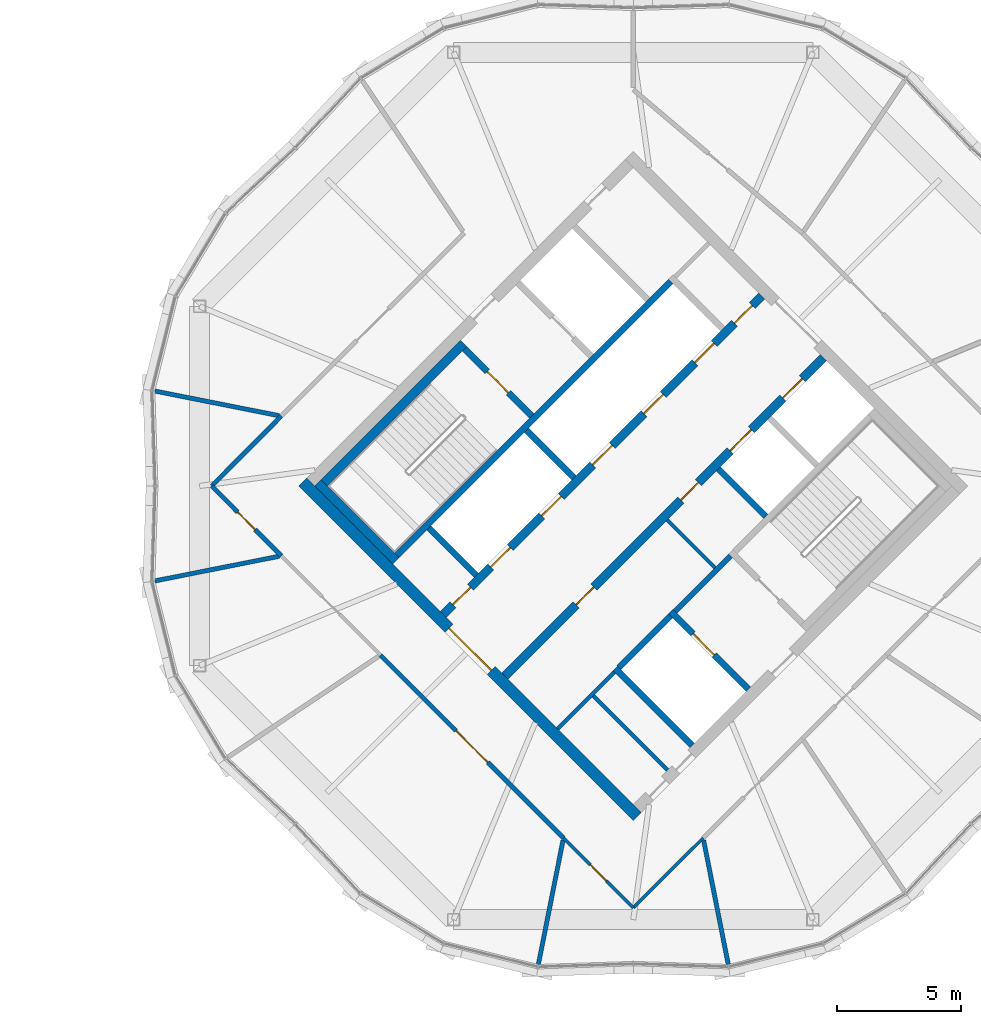
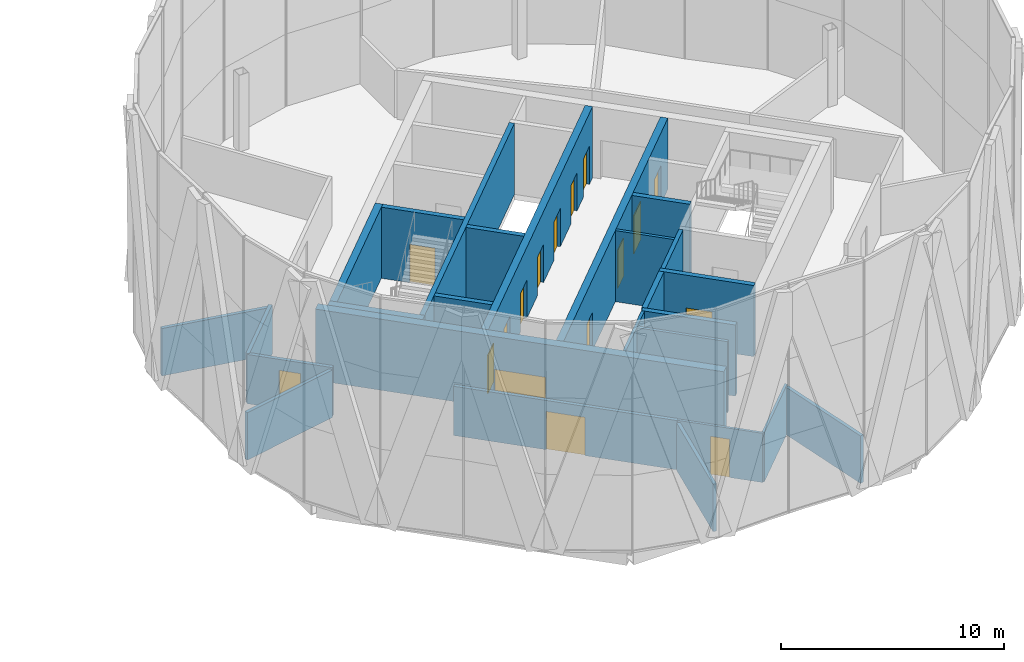
# One storey, part 19 of 23: 26 walls, 17 doors, 17 openings.
"""IFC4 building model written with IfcOpenShell, lengths in metres."""

from ifc_helpers import new_model, si_unit, direction, frame, frame_2d, origin, place, context, subcontext, project, spatial, rectangle, extrude, material, layer, layer_set, type_object, element, fill, save


model = new_model("IFC4")

# Units and contexts
model_context = context("Model", 3, precision=1e-05, world=origin(), true_north=direction((0.0, 1.0)))
body_context = subcontext(model_context, "Body", "Model", "MODEL_VIEW")
ifc_project = project(units=[si_unit("LENGTHUNIT", "METRE"), si_unit("AREAUNIT", "SQUARE_METRE"), si_unit("VOLUMEUNIT", "CUBIC_METRE"), si_unit("PLANEANGLEUNIT", "RADIAN"), si_unit("MASSUNIT", "GRAM", prefix="KILO")], contexts=[model_context])

# Site, building, storey
site_placement = place(None, origin())
site = spatial("IfcSite", under=ifc_project, at=site_placement, CompositionType="ELEMENT")
building_placement = place(site_placement, origin())
building = spatial("IfcBuilding", under=site, at=building_placement, Name="Ogive Gate Towers", CompositionType="ELEMENT")
storey_placement = place(building_placement, frame((0.0, 0.0, 256.199951171875)))
storey = spatial("IfcBuildingStorey", under=building, at=storey_placement, Name="L60", CompositionType="ELEMENT", Elevation=256.199951171875)

# Walls
ifc_material_1 = material(Name="Gypsum board acoustic partition")
ifc_layer_1 = layer(ifc_material_1, 0.175048828125)
ifc_layer_set_1 = layer_set([ifc_layer_1], Name="Acoustic partition 175")
wall_type_1 = type_object("IfcWallType", Name="Acoustic partition 175", PredefinedType="PARTITIONING", material=ifc_layer_set_1)
for number, where, z_axis, x_axis, name in (
    (1, (16.775390625, 3.814697265625, 0.0), (0.0, 0.0, 1.0), (0.980874659821, -0.194640442152, 0.0), "Partition T2-L60-005"),
    (2, (16.775390625, -3.814697265625, 0.0), (0.0, 0.0, 1.0), (0.980874659821, 0.194640442152, 0.0), "Partition T2-L60-006"),
    (3, (32.185302734375, -19.224609375, 0.0), (0.0, 0.0, 1.0), (0.194640442152, 0.980874659821, 0.0), "Partition T2-L60-008"),
    (4, (39.814697265625, -19.224609375, 0.0), (0.0, 0.0, 1.0), (-0.194640442152, 0.980874659821, 0.0), "Partition T2-L60-009"),
):
    element("IfcWall", number, at=place(storey_placement, frame(where, z_axis=z_axis, x_axis=x_axis)), inside=storey, type_object=wall_type_1, Name=name, PredefinedType="PARTITIONING", context=body_context, shape_type="SweptSolid", body=[
        extrude(rectangle(XDim=5.09130859375, YDim=0.175048828125, at=frame_2d((2.545654296875, 0.0))), origin(), (0.0, 0.0, 1.0), 2.60009765625),
    ])

# Wall, opening, door
wall_1_placement = place(storey_placement, frame((19.0576171875, 0.0, 0.0), z_axis=(0.0, 0.0, 1.0), x_axis=(0.705966114567, -0.708245610705, 0.0)))
wall_1 = element("IfcWall", 5, at=wall_1_placement, inside=storey, type_object=wall_type_1, Name="Partition T2-L60-020", PredefinedType="PARTITIONING", context=body_context, shape_type="SweptSolid", body=[
    extrude(rectangle(XDim=3.962890625, YDim=0.175048828125, at=frame_2d((1.9814453125, 0.0))), origin(), (0.0, 0.0, 1.0), 2.699951171875),
])
opening_1_placement = place(wall_1_placement, frame((1.48095703125, 0.0, 0.0)))
opening_1 = element("IfcOpeningElement", 6, at=opening_1_placement, cuts=wall_1, Name="Opening T2-L60-D07", PredefinedType="OPENING", context=body_context, shape_type="SweptSolid", body=[
    extrude(rectangle(XDim=1.0, YDim=2.10009765625, at=frame_2d((0.5, 1.050048828125))), frame((0.0, 0.09765625, 0.0), z_axis=(0.0, -1.0, 0.0), x_axis=(1.0, 0.0, 0.0)), (0.0, 0.0, 1.0), 0.195068359375),
])
ifc_material_2 = material(Name="Timber door", Category="wood")
door_type_1 = type_object("IfcDoorType", Name="Door 1000", OperationType="NOTDEFINED", PredefinedType="DOOR", material=ifc_material_2)
door_1_placement = place(opening_1_placement, origin())
door_1 = element("IfcDoor", 7, at=door_1_placement, inside=storey, type_object=door_type_1, Name="Door T2-L60-D07", OperationType="SINGLE_SWING_RIGHT", OverallHeight=2.10009765625, OverallWidth=1.0, PredefinedType="DOOR", context=body_context, shape_type="SweptSolid", body=[
    extrude(rectangle(XDim=1.0, YDim=2.10009765625, at=frame_2d((0.5, 1.050048828125))), frame((0.0, 0.02490234375, 0.0), z_axis=(0.0, -1.0, 0.0), x_axis=(1.0, 0.0, 0.0)), (0.0, 0.0, 1.0), 0.050048828125),
])
fill(opening_1, door_1)

# Wall
wall_2_placement = place(storey_placement, frame((21.855224609375, 2.806640625, 0.0), z_axis=(0.0, 0.0, 1.0), x_axis=(-0.705966114567, -0.708245610705, 0.0)))
element("IfcWall", 8, at=wall_2_placement, inside=storey, type_object=wall_type_1, Name="Partition T2-L60-021", PredefinedType="PARTITIONING", context=body_context, shape_type="SweptSolid", body=[
    extrude(rectangle(XDim=3.962890625, YDim=0.175048828125, at=frame_2d((1.9814453125, 0.0))), origin(), (0.0, 0.0, 1.0), 2.699951171875),
])

# Wall, opening, door
wall_3_placement = place(storey_placement, frame((25.842041015625, -6.794189453125, 0.0), z_axis=(0.0, 0.0, 1.0), x_axis=(0.70714200707, -0.707071553548, 0.0)))
wall_3 = element("IfcWall", 9, at=wall_3_placement, inside=storey, type_object=wall_type_1, Name="Partition T2-L60-023", PredefinedType="PARTITIONING", context=body_context, shape_type="SweptSolid", body=[
    extrude(rectangle(XDim=10.395751953125, YDim=0.175048828125, at=frame_2d((5.19775390625, 0.0))), origin(), (0.0, 0.0, 1.0), 2.699951171875),
])
opening_2_placement = place(wall_3_placement, frame((4.298095703125, 0.0, 0.0)))
opening_2 = element("IfcOpeningElement", 10, at=opening_2_placement, cuts=wall_3, Name="Opening T2-L60-D09", PredefinedType="OPENING", context=body_context, shape_type="SweptSolid", body=[
    extrude(rectangle(XDim=1.800048828125, YDim=2.10009765625, at=frame_2d((0.89990234375, 1.050048828125))), frame((0.0, 0.09765625, 0.0), z_axis=(0.0, -1.0, 0.0), x_axis=(1.0, 0.0, 0.0)), (0.0, 0.0, 1.0), 0.195068359375),
])
door_type_2 = type_object("IfcDoorType", Name="Door pair 1800", OperationType="NOTDEFINED", PredefinedType="DOOR", material=ifc_material_2)
door_2_placement = place(opening_2_placement, origin())
door_2 = element("IfcDoor", 11, at=door_2_placement, inside=storey, type_object=door_type_2, Name="Door T2-L60-D09", OperationType="DOUBLE_DOOR_DOUBLE_SWING", OverallHeight=2.10009765625, OverallWidth=1.800048828125, PredefinedType="DOOR", context=body_context, shape_type="SweptSolid", body=[
    extrude(rectangle(XDim=1.800048828125, YDim=2.10009765625, at=frame_2d((0.89990234375, 1.050048828125))), frame((0.0, 0.02490234375, 0.0), z_axis=(0.0, -1.0, 0.0), x_axis=(1.0, 0.0, 0.0)), (0.0, 0.0, 1.0), 0.050048828125),
])
fill(opening_2, door_2)

# Wall
ifc_material_3 = material(Name="Masonry blockwork", Category="masonry")
ifc_layer_2 = layer(ifc_material_3, 0.199951171875)
ifc_layer_set_2 = layer_set([ifc_layer_2], Name="Blockwork wall 200 mm")
wall_type_2 = type_object("IfcWallType", Name="Blockwork wall 200 mm", PredefinedType="PARTITIONING", material=ifc_layer_set_2)
wall_4_placement = place(storey_placement, frame((37.679443359375, -5.0380859375, 0.0), z_axis=(0.0, 0.0, 1.0), x_axis=(0.707106781187, 0.707106781187, 0.0)))
element("IfcWall", 12, at=wall_4_placement, inside=storey, type_object=wall_type_2, Name="T2 L60 Blockwork wall 200 mm", PredefinedType="PARTITIONING", context=body_context, shape_type="SweptSolid", body=[
    extrude(rectangle(XDim=3.14990234375, YDim=0.199951171875, at=frame_2d((1.574951171875, 0.0))), origin(), (0.0, 0.0, 1.0), 3.900146484375),
])

# Wall, opening, door
ifc_material_4 = material(Name="Concrete C60/75", Category="concrete")
ifc_layer_3 = layer(ifc_material_4, 0.449951171875)
ifc_layer_set_3 = layer_set([ifc_layer_3], Name="Core wall 450 mm")
wall_type_3 = type_object("IfcWallType", Name="Core wall 450 mm", PredefinedType="SHEAR", material=ifc_layer_set_3)
wall_5_placement = place(storey_placement, frame((36.1591796875, -13.27587890625, 0.0), z_axis=(0.0, 0.0, 1.0), x_axis=(-0.707106781187, 0.707106781187, 0.0)))
wall_5 = element("IfcWall", 13, at=wall_5_placement, inside=storey, type_object=wall_type_3, Name="T2 L60 Core wall 450 mm", PredefinedType="SHEAR", context=body_context, shape_type="SweptSolid", body=[
    extrude(rectangle(XDim=19.0, YDim=0.449951171875, at=frame_2d((9.5, 0.0))), origin(), (0.0, 0.0, 1.0), 3.900146484375),
])
opening_3_placement = place(wall_5_placement, frame((8.300048828125, 0.0, 0.0)))
opening_3 = element("IfcOpeningElement", 14, at=opening_3_placement, cuts=wall_5, Name="Opening KD-T2-L60-01", PredefinedType="OPENING", context=body_context, shape_type="SweptSolid", body=[
    extrude(rectangle(XDim=2.39990234375, YDim=2.10009765625, at=frame_2d((1.199951171875, 1.050048828125))), frame((0.0, 0.23486328125, 0.0), z_axis=(0.0, -1.0, 0.0), x_axis=(1.0, 0.0, 0.0)), (0.0, 0.0, 1.0), 0.469970703125),
])
ifc_material_5 = material(Name="Steel fire door", Category="steel")
door_type_3 = type_object("IfcDoorType", Name="Core double door FD60S 2400 x 2100", OperationType="DOUBLE_DOOR_SINGLE_SWING", PredefinedType="DOOR", material=ifc_material_5)
door_3_placement = place(opening_3_placement, origin())
door_3 = element("IfcDoor", 15, at=door_3_placement, inside=storey, type_object=door_type_3, Name="T2 L60 Core door double", OperationType="DOUBLE_DOOR_SINGLE_SWING", OverallHeight=2.10009765625, OverallWidth=2.39990234375, PredefinedType="DOOR", context=body_context, shape_type="SweptSolid", body=[
    extrude(rectangle(XDim=2.39990234375, YDim=2.10009765625, at=frame_2d((1.199951171875, 1.050048828125))), frame((0.0, 0.02490234375, 0.0), z_axis=(0.0, -1.0, 0.0), x_axis=(1.0, 0.0, 0.0)), (0.0, 0.0, 1.0), 0.050048828125),
])
fill(opening_3, door_3)

ifc_material_6 = material(Name="Gypsum board partition")
ifc_layer_4 = layer(ifc_material_6, 0.125)
ifc_layer_set_4 = layer_set([ifc_layer_4], Name="Partition 125")
wall_type_4 = type_object("IfcWallType", Name="Partition 125", PredefinedType="PARTITIONING", material=ifc_layer_set_4)
wall_6_placement = place(storey_placement, frame((33.193359375, -14.144775390625, 0.0), z_axis=(0.0, 0.0, 1.0), x_axis=(0.708245610705, -0.705966114567, 0.0)))
wall_6 = element("IfcWall", 16, at=wall_6_placement, inside=storey, type_object=wall_type_4, Name="Partition T2-L60-024", PredefinedType="PARTITIONING", context=body_context, shape_type="SweptSolid", body=[
    extrude(rectangle(XDim=3.962890625, YDim=0.125, at=frame_2d((1.9814453125, 0.0))), origin(), (0.0, 0.0, 1.0), 2.699951171875),
])
opening_4_placement = place(wall_6_placement, frame((1.531005859375, 0.0, 0.0)))
opening_4 = element("IfcOpeningElement", 17, at=opening_4_placement, cuts=wall_6, Name="Opening T2-L60-D10", PredefinedType="OPENING", context=body_context, shape_type="SweptSolid", body=[
    extrude(rectangle(XDim=0.89990234375, YDim=2.10009765625, at=frame_2d((0.449951171875, 1.050048828125))), frame((0.0, 0.072509765625, 0.0), z_axis=(0.0, -1.0, 0.0), x_axis=(1.0, 0.0, 0.0)), (0.0, 0.0, 1.0), 0.14501953125),
])
door_type_4 = type_object("IfcDoorType", Name="Door 900", OperationType="NOTDEFINED", PredefinedType="DOOR", material=ifc_material_2)
door_4_placement = place(opening_4_placement, origin())
door_4 = element("IfcDoor", 18, at=door_4_placement, inside=storey, type_object=door_type_4, Name="Door T2-L60-D10", OperationType="SINGLE_SWING_LEFT", OverallHeight=2.10009765625, OverallWidth=0.89990234375, PredefinedType="DOOR", context=body_context, shape_type="SweptSolid", body=[
    extrude(rectangle(XDim=0.89990234375, YDim=2.10009765625, at=frame_2d((0.449951171875, 1.050048828125))), frame((0.0, 0.02490234375, 0.0), z_axis=(0.0, -1.0, 0.0), x_axis=(1.0, 0.0, 0.0)), (0.0, 0.0, 1.0), 0.050048828125),
])
fill(opening_4, door_4)

# Walls
wall_7_placement = place(storey_placement, frame((36.0, -16.9423828125, 0.0), z_axis=(0.0, 0.0, 1.0), x_axis=(0.708245610705, 0.705966114567, 0.0)))
element("IfcWall", 19, at=wall_7_placement, inside=storey, type_object=wall_type_4, Name="Partition T2-L60-025", PredefinedType="PARTITIONING", context=body_context, shape_type="SweptSolid", body=[
    extrude(rectangle(XDim=3.962890625, YDim=0.125, at=frame_2d((1.9814453125, 0.0))), origin(), (0.0, 0.0, 1.0), 2.699951171875),
])
ifc_layer_5 = layer(ifc_material_6, 0.14990234375)
ifc_layer_set_5 = layer_set([ifc_layer_5], Name="Room partition 150 mm")
wall_type_5 = type_object("IfcWallType", Name="Room partition 150 mm", PredefinedType="PARTITIONING", material=ifc_layer_set_5)
wall_8_placement = place(storey_placement, frame((32.95947265625, -9.758056640625, 0.0), z_axis=(0.0, 0.0, 1.0), x_axis=(0.707144631829, 0.707068928518, 0.0)))
element("IfcWall", 20, at=wall_8_placement, inside=storey, type_object=wall_type_5, Name="T2 L60 Room partition 150 mm", PredefinedType="PARTITIONING", context=body_context, shape_type="SweptSolid", body=[
    extrude(rectangle(XDim=3.224853515625, YDim=0.14990234375, at=frame_2d((1.6123046875, 0.0))), origin(), (0.0, 0.0, 1.0), 3.900146484375),
])
wall_9_placement = place(storey_placement, frame((37.37890625, -11.419921875, 0.0), z_axis=(0.0, 0.0, 1.0), x_axis=(-0.707077889614, 0.707135671578, 0.0)))
element("IfcWall", 21, at=wall_9_placement, inside=storey, type_object=wall_type_5, Name="T2 L60 Room partition 150 mm", PredefinedType="PARTITIONING", context=body_context, shape_type="SweptSolid", body=[
    extrude(rectangle(XDim=4.22509765625, YDim=0.14990234375, at=frame_2d((2.112548828125, 0.0))), origin(), (0.0, 0.0, 1.0), 3.900146484375),
])
wall_10_placement = place(storey_placement, frame((39.2880859375, -3.2880859375, 0.0), z_axis=(0.0, 0.0, 1.0), x_axis=(-0.707106781187, 0.707106781187, 0.0)))
element("IfcWall", 22, at=wall_10_placement, inside=storey, type_object=wall_type_5, Name="T2 L60 Room partition 150 mm", PredefinedType="PARTITIONING", context=body_context, shape_type="SweptSolid", body=[
    extrude(rectangle(XDim=2.72509765625, YDim=0.14990234375, at=frame_2d((1.362548828125, 0.0))), origin(), (0.0, 0.0, 1.0), 3.900146484375),
])
ifc_layer_6 = layer(ifc_material_4, 0.25)
ifc_layer_set_6 = layer_set([ifc_layer_6], Name="Shaft wall 250 mm")
wall_type_6 = type_object("IfcWallType", Name="Shaft wall 250 mm", PredefinedType="SHEAR", material=ifc_layer_set_6)
wall_11_placement = place(storey_placement, frame((35.41650390625, -7.30078125, 0.0), z_axis=(0.0, 0.0, 1.0), x_axis=(0.707148157867, 0.707065402085, 0.0)))
element("IfcWall", 23, at=wall_11_placement, inside=storey, type_object=wall_type_6, Name="T2 L60 Shaft wall 250 mm", PredefinedType="SHEAR", context=body_context, shape_type="SweptSolid", body=[
    extrude(rectangle(XDim=2.9501953125, YDim=0.25, at=frame_2d((1.47509765625, 0.0))), origin(), (0.0, 0.0, 1.0), 3.900146484375),
])
wall_12_placement = place(storey_placement, frame((26.489501953125, -2.793212890625, 0.0), z_axis=(0.0, 0.0, 1.0), x_axis=(0.707098943647, 0.70711461864, 0.0)))
element("IfcWall", 24, at=wall_12_placement, inside=storey, type_object=wall_type_6, Name="T2 L60 Shaft wall 250 mm", PredefinedType="SHEAR", context=body_context, shape_type="SweptSolid", body=[
    extrude(rectangle(XDim=15.5751953125, YDim=0.25, at=frame_2d((7.78759765625, 0.0))), origin(), (0.0, 0.0, 1.0), 3.900146484375),
])
wall_13_placement = place(storey_placement, frame((29.689208984375, -3.588623046875, 0.0), z_axis=(0.0, 0.0, 1.0), x_axis=(-0.707151988282, 0.707061571201, 0.0)))
element("IfcWall", 25, at=wall_13_placement, inside=storey, type_object=wall_type_6, Name="T2 L60 Shaft wall 250 mm", PredefinedType="SHEAR", context=body_context, shape_type="SweptSolid", body=[
    extrude(rectangle(XDim=2.7001953125, YDim=0.25, at=frame_2d((1.35009765625, 0.0))), origin(), (0.0, 0.0, 1.0), 3.900146484375),
])
wall_14_placement = place(storey_placement, frame((38.368896484375, -10.4296875, 0.0), z_axis=(0.0, 0.0, 1.0), x_axis=(-0.707134682099, 0.707078879173, 0.0)))
element("IfcWall", 26, at=wall_14_placement, inside=storey, type_object=wall_type_6, Name="T2 L60 Shaft wall 250 mm", PredefinedType="SHEAR", context=body_context, shape_type="SweptSolid", body=[
    extrude(rectangle(XDim=4.375, YDim=0.25, at=frame_2d((2.1875, 0.0))), origin(), (0.0, 0.0, 1.0), 3.900146484375),
])

# Wall, opening, door
wall_15_placement = place(storey_placement, frame((40.631591796875, -8.1669921875, 0.0), z_axis=(0.0, 0.0, 1.0), x_axis=(-0.707106781187, 0.707106781187, 0.0)))
wall_15 = element("IfcWall", 27, at=wall_15_placement, inside=storey, type_object=wall_type_6, Name="T2 L60 Shaft wall 250 mm", PredefinedType="SHEAR", context=body_context, shape_type="SweptSolid", body=[
    extrude(rectangle(XDim=4.425048828125, YDim=0.25, at=frame_2d((2.21240234375, 0.0))), origin(), (0.0, 0.0, 1.0), 3.900146484375),
])
opening_5_placement = place(wall_15_placement, frame((1.949951171875, 0.0, 0.0)))
opening_5 = element("IfcOpeningElement", 28, at=opening_5_placement, cuts=wall_15, Name="Opening LD-T2-L60-13", PredefinedType="OPENING", context=body_context, shape_type="SweptSolid", body=[
    extrude(rectangle(XDim=1.199951171875, YDim=2.10009765625, at=frame_2d((0.60009765625, 1.050048828125))), frame((0.0, 0.135009765625, 0.0), z_axis=(0.0, -1.0, 0.0), x_axis=(1.0, 0.0, 0.0)), (0.0, 0.0, 1.0), 0.27001953125),
])
ifc_material_7 = material(Name="Stainless steel landing door", Category="steel")
door_type_5 = type_object("IfcDoorType", Name="Landing door 1200 x 2100", OperationType="SLIDING_TO_LEFT", PredefinedType="DOOR", material=ifc_material_7)
door_5_placement = place(opening_5_placement, origin())
door_5 = element("IfcDoor", 29, at=door_5_placement, inside=storey, type_object=door_type_5, Name="T2 L60 Lift landing door FF2", OperationType="SLIDING_TO_LEFT", OverallHeight=2.10009765625, OverallWidth=1.199951171875, PredefinedType="DOOR", context=body_context, shape_type="SweptSolid", body=[
    extrude(rectangle(XDim=1.199951171875, YDim=2.10009765625, at=frame_2d((0.60009765625, 1.050048828125))), frame((0.0, 0.02490234375, 0.0), z_axis=(0.0, -1.0, 0.0), x_axis=(1.0, 0.0, 0.0)), (0.0, 0.0, 1.0), 0.050048828125),
])
fill(opening_5, door_5)

# Wall
wall_16_placement = place(storey_placement, frame((33.613525390625, 0.3359375, 0.0), z_axis=(0.0, 0.0, 1.0), x_axis=(-0.707106781187, 0.707106781187, 0.0)))
element("IfcWall", 30, at=wall_16_placement, inside=storey, type_object=wall_type_6, Name="T2 L60 Shaft wall 250 mm", PredefinedType="SHEAR", context=body_context, shape_type="SweptSolid", body=[
    extrude(rectangle(XDim=2.699951171875, YDim=0.25, at=frame_2d((1.35009765625, 0.0))), origin(), (0.0, 0.0, 1.0), 3.900146484375),
])

# Wall, opening, door
wall_17_placement = place(storey_placement, frame((31.91650390625, 2.810791015625, 0.0), z_axis=(0.0, 0.0, 1.0), x_axis=(-0.707106781187, 0.707106781187, 0.0)))
wall_17 = element("IfcWall", 31, at=wall_17_placement, inside=storey, type_object=wall_type_6, Name="T2 L60 Shaft wall 250 mm", PredefinedType="SHEAR", context=body_context, shape_type="SweptSolid", body=[
    extrude(rectangle(XDim=3.824951171875, YDim=0.25, at=frame_2d((1.91259765625, 0.0))), origin(), (0.0, 0.0, 1.0), 3.900146484375),
])
opening_6_placement = place(wall_17_placement, frame((1.324951171875, 0.0, 0.0)))
opening_6 = element("IfcOpeningElement", 32, at=opening_6_placement, cuts=wall_17, Name="Opening KD-T2-L60-16", PredefinedType="OPENING", context=body_context, shape_type="SweptSolid", body=[
    extrude(rectangle(XDim=1.199951171875, YDim=2.10009765625, at=frame_2d((0.60009765625, 1.050048828125))), frame((0.0, 0.135009765625, 0.0), z_axis=(0.0, -1.0, 0.0), x_axis=(1.0, 0.0, 0.0)), (0.0, 0.0, 1.0), 0.27001953125),
])
door_type_6 = type_object("IfcDoorType", Name="Core door FD60S 1200 x 2100", OperationType="NOTDEFINED", PredefinedType="DOOR", material=ifc_material_5)
door_6_placement = place(opening_6_placement, origin())
door_6 = element("IfcDoor", 33, at=door_6_placement, inside=storey, type_object=door_type_6, Name="T2 L60 Stair door", OperationType="SINGLE_SWING_LEFT", OverallHeight=2.10009765625, OverallWidth=1.199951171875, PredefinedType="DOOR", context=body_context, shape_type="SweptSolid", body=[
    extrude(rectangle(XDim=1.199951171875, YDim=2.10009765625, at=frame_2d((0.60009765625, 1.050048828125))), frame((0.0, 0.02490234375, 0.0), z_axis=(0.0, -1.0, 0.0), x_axis=(1.0, 0.0, 0.0)), (0.0, 0.0, 1.0), 0.050048828125),
])
fill(opening_6, door_6)

# Wall
wall_18_placement = place(storey_placement, frame((41.321044921875, -1.2197265625, 0.0), z_axis=(0.0, 0.0, 1.0), x_axis=(-0.707106781187, 0.707106781187, 0.0)))
element("IfcWall", 34, at=wall_18_placement, inside=storey, type_object=wall_type_6, Name="T2 L60 Shaft wall 250 mm", PredefinedType="SHEAR", context=body_context, shape_type="SweptSolid", body=[
    extrude(rectangle(XDim=2.699951171875, YDim=0.25, at=frame_2d((1.35009765625, 0.0))), origin(), (0.0, 0.0, 1.0), 3.900146484375),
])

# Wall, openings, doors
ifc_layer_7 = layer(ifc_material_4, 0.35009765625)
ifc_layer_set_7 = layer_set([ifc_layer_7], Name="Spine wall 350 mm")
wall_type_7 = type_object("IfcWallType", Name="Spine wall 350 mm", PredefinedType="SHEAR", material=ifc_layer_set_7)
wall_19_placement = place(storey_placement, frame((30.838134765625, -7.63671875, 0.0), z_axis=(0.0, 0.0, 1.0), x_axis=(0.707106781187, 0.707106781187, 0.0)))
wall_19 = element("IfcWall", 35, at=wall_19_placement, inside=storey, type_object=wall_type_7, Name="T2 L60 Spine wall 350 mm", PredefinedType="SHEAR", context=body_context, shape_type="SweptSolid", body=[
    extrude(rectangle(XDim=18.099853515625, YDim=0.35009765625, at=frame_2d((9.0498046875, 0.0))), origin(), (0.0, 0.0, 1.0), 3.900146484375),
])
opening_7_placement = place(wall_19_placement, frame((12.800048828125, 0.0, 0.0)))
opening_7 = element("IfcOpeningElement", 36, at=opening_7_placement, cuts=wall_19, Name="Opening LD-T2-L60-10", PredefinedType="OPENING", context=body_context, shape_type="SweptSolid", body=[
    extrude(rectangle(XDim=1.199951171875, YDim=2.10009765625, at=frame_2d((0.60009765625, 1.050048828125))), frame((0.0, 0.18505859375, 0.0), z_axis=(0.0, -1.0, 0.0), x_axis=(1.0, 0.0, 0.0)), (0.0, 0.0, 1.0), 0.3701171875),
])
opening_8_placement = place(wall_19_placement, frame((15.800048828125, 0.0, 0.0)))
opening_8 = element("IfcOpeningElement", 37, at=opening_8_placement, cuts=wall_19, Name="Opening LD-T2-L60-11", PredefinedType="OPENING", context=body_context, shape_type="SweptSolid", body=[
    extrude(rectangle(XDim=1.10009765625, YDim=2.10009765625, at=frame_2d((0.550048828125, 1.050048828125))), frame((0.0, 0.18505859375, 0.0), z_axis=(0.0, -1.0, 0.0), x_axis=(1.0, 0.0, 0.0)), (0.0, 0.0, 1.0), 0.3701171875),
])
opening_9_placement = place(wall_19_placement, frame((4.050048828125, 0.0, 0.0)))
opening_9 = element("IfcOpeningElement", 38, at=opening_9_placement, cuts=wall_19, Name="Opening KD-T2-L60-14", PredefinedType="OPENING", context=body_context, shape_type="SweptSolid", body=[
    extrude(rectangle(XDim=1.0, YDim=2.10009765625, at=frame_2d((0.5, 1.050048828125))), frame((0.0, 0.18505859375, 0.0), z_axis=(0.0, -1.0, 0.0), x_axis=(1.0, 0.0, 0.0)), (0.0, 0.0, 1.0), 0.3701171875),
])
opening_10_placement = place(wall_19_placement, frame((10.0, 0.0, 0.0)))
opening_10 = element("IfcOpeningElement", 39, at=opening_10_placement, cuts=wall_19, Name="Opening KD-T2-L60-15", PredefinedType="OPENING", context=body_context, shape_type="SweptSolid", body=[
    extrude(rectangle(XDim=1.0, YDim=2.10009765625, at=frame_2d((0.5, 1.050048828125))), frame((0.0, 0.18505859375, 0.0), z_axis=(0.0, -1.0, 0.0), x_axis=(1.0, 0.0, 0.0)), (0.0, 0.0, 1.0), 0.3701171875),
])
door_type_7 = type_object("IfcDoorType", Name="Core door FD60S 1000 x 2100", OperationType="NOTDEFINED", PredefinedType="DOOR", material=ifc_material_5)
door_7_placement = place(opening_9_placement, origin())
door_7 = element("IfcDoor", 40, at=door_7_placement, inside=storey, type_object=door_type_7, Name="T2 L60 Core door", OperationType="SINGLE_SWING_LEFT", OverallHeight=2.10009765625, OverallWidth=1.0, PredefinedType="DOOR", context=body_context, shape_type="SweptSolid", body=[
    extrude(rectangle(XDim=1.0, YDim=2.10009765625, at=frame_2d((0.5, 1.050048828125))), frame((0.0, 0.02490234375, 0.0), z_axis=(0.0, -1.0, 0.0), x_axis=(1.0, 0.0, 0.0)), (0.0, 0.0, 1.0), 0.050048828125),
])
fill(opening_9, door_7)
door_8_placement = place(opening_10_placement, origin())
door_8 = element("IfcDoor", 41, at=door_8_placement, inside=storey, type_object=door_type_7, Name="T2 L60 Core door", OperationType="SINGLE_SWING_RIGHT", OverallHeight=2.10009765625, OverallWidth=1.0, PredefinedType="DOOR", context=body_context, shape_type="SweptSolid", body=[
    extrude(rectangle(XDim=1.0, YDim=2.10009765625, at=frame_2d((0.5, 1.050048828125))), frame((0.0, 0.02490234375, 0.0), z_axis=(0.0, -1.0, 0.0), x_axis=(1.0, 0.0, 0.0)), (0.0, 0.0, 1.0), 0.050048828125),
])
fill(opening_10, door_8)
door_type_8 = type_object("IfcDoorType", Name="Landing door 1100 x 2100", OperationType="SLIDING_TO_LEFT", PredefinedType="DOOR", material=ifc_material_7)
door_9_placement = place(opening_8_placement, origin())
door_9 = element("IfcDoor", 42, at=door_9_placement, inside=storey, type_object=door_type_8, Name="T2 L60 Lift landing door B6", OperationType="SLIDING_TO_LEFT", OverallHeight=2.10009765625, OverallWidth=1.10009765625, PredefinedType="DOOR", context=body_context, shape_type="SweptSolid", body=[
    extrude(rectangle(XDim=1.10009765625, YDim=2.10009765625, at=frame_2d((0.550048828125, 1.050048828125))), frame((0.0, 0.02490234375, 0.0), z_axis=(0.0, -1.0, 0.0), x_axis=(1.0, 0.0, 0.0)), (0.0, 0.0, 1.0), 0.050048828125),
])
fill(opening_8, door_9)
door_10_placement = place(opening_7_placement, origin())
door_10 = element("IfcDoor", 43, at=door_10_placement, inside=storey, type_object=door_type_5, Name="T2 L60 Lift landing door SVC", OperationType="SLIDING_TO_LEFT", OverallHeight=2.10009765625, OverallWidth=1.199951171875, PredefinedType="DOOR", context=body_context, shape_type="SweptSolid", body=[
    extrude(rectangle(XDim=1.199951171875, YDim=2.10009765625, at=frame_2d((0.60009765625, 1.050048828125))), frame((0.0, 0.02490234375, 0.0), z_axis=(0.0, -1.0, 0.0), x_axis=(1.0, 0.0, 0.0)), (0.0, 0.0, 1.0), 0.050048828125),
])
fill(opening_7, door_10)

wall_20_placement = place(storey_placement, frame((28.36328125, -5.161865234375, 0.0), z_axis=(0.0, 0.0, 1.0), x_axis=(0.707106781187, 0.707106781187, 0.0)))
wall_20 = element("IfcWall", 44, at=wall_20_placement, inside=storey, type_object=wall_type_7, Name="T2 L60 Spine wall 350 mm", PredefinedType="SHEAR", context=body_context, shape_type="SweptSolid", body=[
    extrude(rectangle(XDim=18.099853515625, YDim=0.35009765625, at=frame_2d((9.0498046875, 0.0))), origin(), (0.0, 0.0, 1.0), 3.900146484375),
])
opening_11_placement = place(wall_20_placement, frame((0.550048828125, 0.0, 0.0)))
opening_11 = element("IfcOpeningElement", 45, at=opening_11_placement, cuts=wall_20, Name="Opening KD-T2-L60-03", PredefinedType="OPENING", context=body_context, shape_type="SweptSolid", body=[
    extrude(rectangle(XDim=1.0, YDim=2.10009765625, at=frame_2d((0.5, 1.050048828125))), frame((0.0, 0.18505859375, 0.0), z_axis=(0.0, -1.0, 0.0), x_axis=(1.0, 0.0, 0.0)), (0.0, 0.0, 1.0), 0.3701171875),
])
opening_12_placement = place(wall_20_placement, frame((2.699951171875, 0.0, 0.0)))
opening_12 = element("IfcOpeningElement", 46, at=opening_12_placement, cuts=wall_20, Name="Opening LD-T2-L60-04", PredefinedType="OPENING", context=body_context, shape_type="SweptSolid", body=[
    extrude(rectangle(XDim=1.10009765625, YDim=2.10009765625, at=frame_2d((0.550048828125, 1.050048828125))), frame((0.0, 0.18505859375, 0.0), z_axis=(0.0, -1.0, 0.0), x_axis=(1.0, 0.0, 0.0)), (0.0, 0.0, 1.0), 0.3701171875),
])
opening_13_placement = place(wall_20_placement, frame((5.60009765625, 0.0, 0.0)))
opening_13 = element("IfcOpeningElement", 47, at=opening_13_placement, cuts=wall_20, Name="Opening LD-T2-L60-05", PredefinedType="OPENING", context=body_context, shape_type="SweptSolid", body=[
    extrude(rectangle(XDim=1.10009765625, YDim=2.10009765625, at=frame_2d((0.550048828125, 1.050048828125))), frame((0.0, 0.18505859375, 0.0), z_axis=(0.0, -1.0, 0.0), x_axis=(1.0, 0.0, 0.0)), (0.0, 0.0, 1.0), 0.3701171875),
])
opening_14_placement = place(wall_20_placement, frame((8.5, 0.0, 0.0)))
opening_14 = element("IfcOpeningElement", 48, at=opening_14_placement, cuts=wall_20, Name="Opening LD-T2-L60-06", PredefinedType="OPENING", context=body_context, shape_type="SweptSolid", body=[
    extrude(rectangle(XDim=1.10009765625, YDim=2.10009765625, at=frame_2d((0.550048828125, 1.050048828125))), frame((0.0, 0.18505859375, 0.0), z_axis=(0.0, -1.0, 0.0), x_axis=(1.0, 0.0, 0.0)), (0.0, 0.0, 1.0), 0.3701171875),
])
opening_15_placement = place(wall_20_placement, frame((11.39990234375, 0.0, 0.0)))
opening_15 = element("IfcOpeningElement", 49, at=opening_15_placement, cuts=wall_20, Name="Opening LD-T2-L60-07", PredefinedType="OPENING", context=body_context, shape_type="SweptSolid", body=[
    extrude(rectangle(XDim=1.10009765625, YDim=2.10009765625, at=frame_2d((0.550048828125, 1.050048828125))), frame((0.0, 0.18505859375, 0.0), z_axis=(0.0, -1.0, 0.0), x_axis=(1.0, 0.0, 0.0)), (0.0, 0.0, 1.0), 0.3701171875),
])
opening_16_placement = place(wall_20_placement, frame((14.300048828125, 0.0, 0.0)))
opening_16 = element("IfcOpeningElement", 50, at=opening_16_placement, cuts=wall_20, Name="Opening LD-T2-L60-08", PredefinedType="OPENING", context=body_context, shape_type="SweptSolid", body=[
    extrude(rectangle(XDim=1.10009765625, YDim=2.10009765625, at=frame_2d((0.550048828125, 1.050048828125))), frame((0.0, 0.18505859375, 0.0), z_axis=(0.0, -1.0, 0.0), x_axis=(1.0, 0.0, 0.0)), (0.0, 0.0, 1.0), 0.3701171875),
])
opening_17_placement = place(wall_20_placement, frame((16.550048828125, 0.0, 0.0)))
opening_17 = element("IfcOpeningElement", 51, at=opening_17_placement, cuts=wall_20, Name="Opening KD-T2-L60-09", PredefinedType="OPENING", context=body_context, shape_type="SweptSolid", body=[
    extrude(rectangle(XDim=1.0, YDim=2.10009765625, at=frame_2d((0.5, 1.050048828125))), frame((0.0, 0.18505859375, 0.0), z_axis=(0.0, -1.0, 0.0), x_axis=(1.0, 0.0, 0.0)), (0.0, 0.0, 1.0), 0.3701171875),
])
door_11_placement = place(opening_11_placement, origin())
door_11 = element("IfcDoor", 52, at=door_11_placement, inside=storey, type_object=door_type_7, Name="T2 L60 Core door", OperationType="SINGLE_SWING_RIGHT", OverallHeight=2.10009765625, OverallWidth=1.0, PredefinedType="DOOR", context=body_context, shape_type="SweptSolid", body=[
    extrude(rectangle(XDim=1.0, YDim=2.10009765625, at=frame_2d((0.5, 1.050048828125))), frame((0.0, 0.02490234375, 0.0), z_axis=(0.0, -1.0, 0.0), x_axis=(1.0, 0.0, 0.0)), (0.0, 0.0, 1.0), 0.050048828125),
])
fill(opening_11, door_11)
door_12_placement = place(opening_17_placement, origin())
door_12 = element("IfcDoor", 53, at=door_12_placement, inside=storey, type_object=door_type_7, Name="T2 L60 Core door", OperationType="SINGLE_SWING_RIGHT", OverallHeight=2.10009765625, OverallWidth=1.0, PredefinedType="DOOR", context=body_context, shape_type="SweptSolid", body=[
    extrude(rectangle(XDim=1.0, YDim=2.10009765625, at=frame_2d((0.5, 1.050048828125))), frame((0.0, 0.02490234375, 0.0), z_axis=(0.0, -1.0, 0.0), x_axis=(1.0, 0.0, 0.0)), (0.0, 0.0, 1.0), 0.050048828125),
])
fill(opening_17, door_12)
door_13_placement = place(opening_12_placement, origin())
door_13 = element("IfcDoor", 54, at=door_13_placement, inside=storey, type_object=door_type_8, Name="T2 L60 Lift landing door B1", OperationType="SLIDING_TO_LEFT", OverallHeight=2.10009765625, OverallWidth=1.10009765625, PredefinedType="DOOR", context=body_context, shape_type="SweptSolid", body=[
    extrude(rectangle(XDim=1.10009765625, YDim=2.10009765625, at=frame_2d((0.550048828125, 1.050048828125))), frame((0.0, 0.02490234375, 0.0), z_axis=(0.0, -1.0, 0.0), x_axis=(1.0, 0.0, 0.0)), (0.0, 0.0, 1.0), 0.050048828125),
])
fill(opening_12, door_13)
door_14_placement = place(opening_13_placement, origin())
door_14 = element("IfcDoor", 55, at=door_14_placement, inside=storey, type_object=door_type_8, Name="T2 L60 Lift landing door B2", OperationType="SLIDING_TO_LEFT", OverallHeight=2.10009765625, OverallWidth=1.10009765625, PredefinedType="DOOR", context=body_context, shape_type="SweptSolid", body=[
    extrude(rectangle(XDim=1.10009765625, YDim=2.10009765625, at=frame_2d((0.550048828125, 1.050048828125))), frame((0.0, 0.02490234375, 0.0), z_axis=(0.0, -1.0, 0.0), x_axis=(1.0, 0.0, 0.0)), (0.0, 0.0, 1.0), 0.050048828125),
])
fill(opening_13, door_14)
door_15_placement = place(opening_14_placement, origin())
door_15 = element("IfcDoor", 56, at=door_15_placement, inside=storey, type_object=door_type_8, Name="T2 L60 Lift landing door B3", OperationType="SLIDING_TO_LEFT", OverallHeight=2.10009765625, OverallWidth=1.10009765625, PredefinedType="DOOR", context=body_context, shape_type="SweptSolid", body=[
    extrude(rectangle(XDim=1.10009765625, YDim=2.10009765625, at=frame_2d((0.550048828125, 1.050048828125))), frame((0.0, 0.02490234375, 0.0), z_axis=(0.0, -1.0, 0.0), x_axis=(1.0, 0.0, 0.0)), (0.0, 0.0, 1.0), 0.050048828125),
])
fill(opening_14, door_15)
door_16_placement = place(opening_15_placement, origin())
door_16 = element("IfcDoor", 57, at=door_16_placement, inside=storey, type_object=door_type_8, Name="T2 L60 Lift landing door B4", OperationType="SLIDING_TO_LEFT", OverallHeight=2.10009765625, OverallWidth=1.10009765625, PredefinedType="DOOR", context=body_context, shape_type="SweptSolid", body=[
    extrude(rectangle(XDim=1.10009765625, YDim=2.10009765625, at=frame_2d((0.550048828125, 1.050048828125))), frame((0.0, 0.02490234375, 0.0), z_axis=(0.0, -1.0, 0.0), x_axis=(1.0, 0.0, 0.0)), (0.0, 0.0, 1.0), 0.050048828125),
])
fill(opening_15, door_16)
door_17_placement = place(opening_16_placement, origin())
door_17 = element("IfcDoor", 58, at=door_17_placement, inside=storey, type_object=door_type_8, Name="T2 L60 Lift landing door B5", OperationType="SLIDING_TO_LEFT", OverallHeight=2.10009765625, OverallWidth=1.10009765625, PredefinedType="DOOR", context=body_context, shape_type="SweptSolid", body=[
    extrude(rectangle(XDim=1.10009765625, YDim=2.10009765625, at=frame_2d((0.550048828125, 1.050048828125))), frame((0.0, 0.02490234375, 0.0), z_axis=(0.0, -1.0, 0.0), x_axis=(1.0, 0.0, 0.0)), (0.0, 0.0, 1.0), 0.050048828125),
])
fill(opening_16, door_17)

# Walls
ifc_layer_8 = layer(ifc_material_4, 0.35009765625)
ifc_layer_set_8 = layer_set([ifc_layer_8], Name="Stair wall 350 mm")
wall_type_8 = type_object("IfcWallType", Name="Stair wall 350 mm", PredefinedType="SHEAR", material=ifc_layer_set_8)
wall_21_placement = place(storey_placement, frame((23.572509765625, 0.123779296875, 0.0), z_axis=(0.0, 0.0, 1.0), x_axis=(0.707122184046, 0.707091377991, 0.0)))
element("IfcWall", 59, at=wall_21_placement, inside=storey, type_object=wall_type_8, Name="T2 L60 Stair wall 350 mm", PredefinedType="SHEAR", context=body_context, shape_type="SweptSolid", body=[
    extrude(rectangle(XDim=7.925048828125, YDim=0.35009765625, at=frame_2d((3.96240234375, 0.0))), origin(), (0.0, 0.0, 1.0), 3.900146484375),
])
wall_22_placement = place(storey_placement, frame((26.4541015625, -3.005126953125, 0.0), z_axis=(0.0, 0.0, 1.0), x_axis=(-0.707106781187, 0.707106781187, 0.0)))
element("IfcWall", 60, at=wall_22_placement, inside=storey, type_object=wall_type_8, Name="T2 L60 Stair wall 350 mm", PredefinedType="SHEAR", context=body_context, shape_type="SweptSolid", body=[
    extrude(rectangle(XDim=4.425048828125, YDim=0.35009765625, at=frame_2d((2.21240234375, 0.0))), origin(), (0.0, 0.0, 1.0), 3.900146484375),
])

save(model, "model.ifc")
